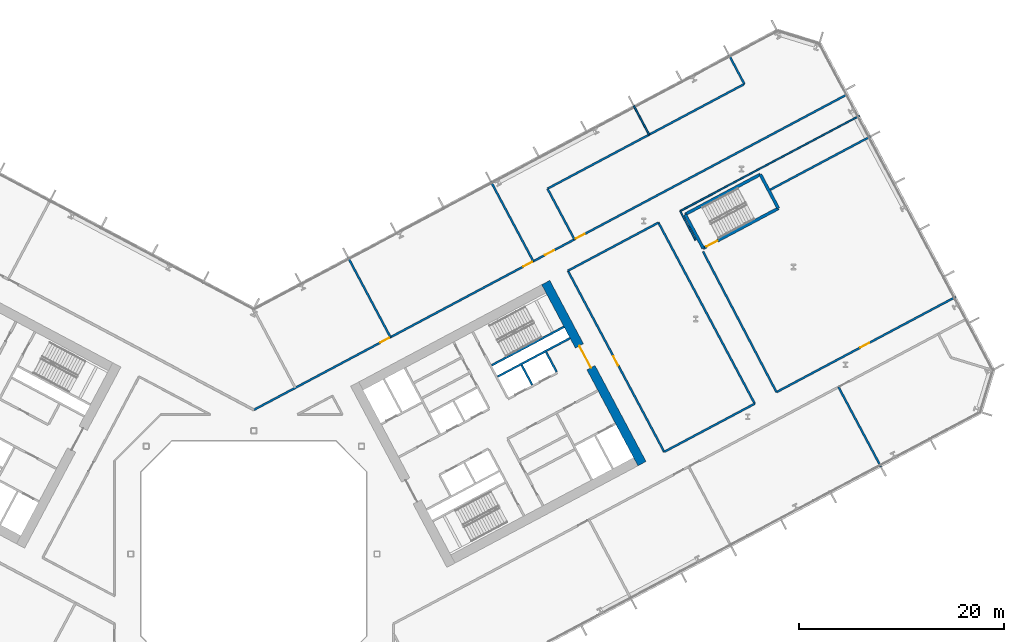
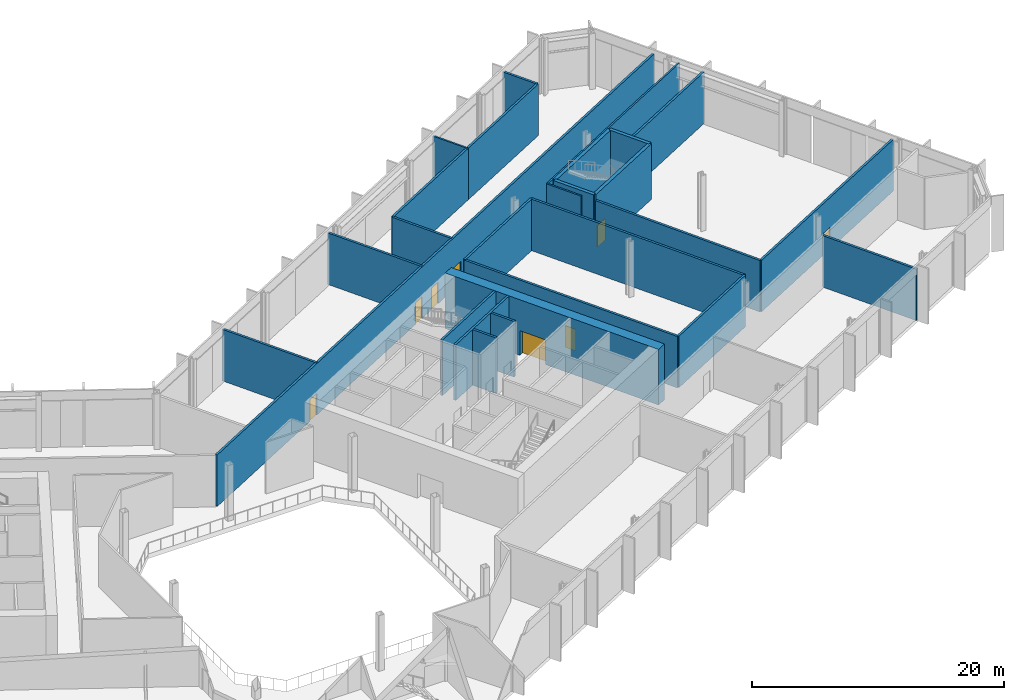
# One storey, part 17 of 32: 27 walls, 8 doors, 8 openings.
"""IFC4 building model written with IfcOpenShell, lengths in metres."""

from ifc_helpers import new_model, si_unit, direction, frame, frame_2d, origin, place, context, subcontext, project, spatial, rectangle, extrude, material, layer, layer_set, type_object, element, fill, save


model = new_model("IFC4")

# Units and contexts
model_context = context("Model", 3, precision=1e-05, world=origin(), true_north=direction((0.0, 1.0)))
body_context = subcontext(model_context, "Body", "Model", "MODEL_VIEW")
ifc_project = project(units=[si_unit("LENGTHUNIT", "METRE"), si_unit("AREAUNIT", "SQUARE_METRE"), si_unit("VOLUMEUNIT", "CUBIC_METRE"), si_unit("PLANEANGLEUNIT", "RADIAN"), si_unit("MASSUNIT", "GRAM", prefix="KILO")], contexts=[model_context])

# Site, building, storey
site_placement = place(None, origin())
site = spatial("IfcSite", under=ifc_project, at=site_placement, CompositionType="ELEMENT")
building_placement = place(site_placement, origin())
building = spatial("IfcBuilding", under=site, at=building_placement, Name="Cormorant Relay Tower", CompositionType="ELEMENT")
storey_placement = place(building_placement, frame((0.0, 0.0, 60.800048828125)))
storey = spatial("IfcBuildingStorey", under=building, at=storey_placement, Name="L11", CompositionType="ELEMENT", Elevation=60.800048828125)

# Walls
ifc_material_1 = material(Name="Concrete 40 MPa", Category="concrete")
ifc_layer_1 = layer(ifc_material_1, 0.199951171875)
ifc_layer_set_1 = layer_set([ifc_layer_1], Name="Core internal wall 200")
wall_type_1 = type_object("IfcWallType", Name="Core internal wall 200", PredefinedType="SOLIDWALL", material=ifc_layer_set_1)
wall_1_placement = place(storey_placement, frame((27.144287109375, 16.471435546875, 0.0), z_axis=(0.0, 0.0, 1.0), x_axis=(-0.469401318492, 0.882984938828, 0.0)))
element("IfcWall", 1, at=wall_1_placement, inside=storey, type_object=wall_type_1, Name="L11 core B shaft and room wall", PredefinedType="SOLIDWALL", context=body_context, shape_type="SweptSolid", body=[
    extrude(rectangle(XDim=2.199951171875, YDim=0.199951171875, at=frame_2d((1.10009765625, 0.0))), origin(), (0.0, 0.0, 1.0), 5.39990234375),
])
ifc_material_2 = material(Name="Concrete 50 MPa", Category="concrete")
ifc_layer_2 = layer(ifc_material_2, 0.199951171875)
ifc_layer_set_2 = layer_set([ifc_layer_2], Name="Core shaft wall 200")
wall_type_2 = type_object("IfcWallType", Name="Core shaft wall 200", PredefinedType="SHEAR", material=ifc_layer_set_2)
wall_2_placement = place(storey_placement, frame((29.5283203125, 17.739013671875, 0.0), z_axis=(0.0, 0.0, 1.0), x_axis=(-0.469401318492, 0.882984938828, 0.0)))
element("IfcWall", 2, at=wall_2_placement, inside=storey, type_object=wall_type_2, Name="L11 core B shaft wall", PredefinedType="SHEAR", context=body_context, shape_type="SweptSolid", body=[
    extrude(rectangle(XDim=2.199951171875, YDim=0.199951171875, at=frame_2d((1.10009765625, 0.0))), origin(), (0.0, 0.0, 1.0), 5.39990234375),
])
wall_3_placement = place(storey_placement, frame((23.76904296875, 17.28173828125, 0.0), z_axis=(0.0, 0.0, 1.0), x_axis=(0.882940221191, 0.469485426614, 0.0)))
element("IfcWall", 3, at=wall_3_placement, inside=storey, type_object=wall_type_2, Name="L11 core B shaft wall", PredefinedType="SHEAR", context=body_context, shape_type="SweptSolid", body=[
    extrude(rectangle(XDim=8.0, YDim=0.199951171875, at=frame_2d((4.0, 0.0))), origin(), (0.0, 0.0, 1.0), 5.39990234375),
])
wall_4_placement = place(storey_placement, frame((23.18212890625, 18.385498046875, 0.0), z_axis=(0.0, 0.0, 1.0), x_axis=(0.88295287151, 0.469461634952, 0.0)))
element("IfcWall", 4, at=wall_4_placement, inside=storey, type_object=wall_type_2, Name="L11 core B shaft wall", PredefinedType="SHEAR", context=body_context, shape_type="SweptSolid", body=[
    extrude(rectangle(XDim=7.999755859375, YDim=0.199951171875, at=frame_2d((4.0, 0.0))), origin(), (0.0, 0.0, 1.0), 5.39990234375),
])

# Wall, opening, door
ifc_material_3 = material(Name="Concrete 70 MPa", Category="concrete")
ifc_layer_3 = layer(ifc_material_3, 0.89990234375)
ifc_layer_set_3 = layer_set([ifc_layer_3], Name="Core wall 900")
wall_type_3 = type_object("IfcWallType", Name="Core wall 900", PredefinedType="SHEAR", material=ifc_layer_set_3)
wall_5_placement = place(storey_placement, frame((37.849365234375, 8.799072265625, 0.0), z_axis=(0.0, 0.0, 1.0), x_axis=(-0.469465789982, 0.882950662289, 0.0)))
wall_5 = element("IfcWall", 5, at=wall_5_placement, inside=storey, type_object=wall_type_3, Name="L11 core B wall", PredefinedType="SHEAR", context=body_context, shape_type="SweptSolid", body=[
    extrude(rectangle(XDim=20.000244140625, YDim=0.89990234375, at=frame_2d((10.0, 0.0))), origin(), (0.0, 0.0, 1.0), 5.39990234375),
])
opening_1_placement = place(wall_5_placement, frame((10.60009765625, 0.0, 0.0)))
opening_1 = element("IfcOpeningElement", 6, at=opening_1_placement, cuts=wall_5, Name="Opening CDA-016", PredefinedType="OPENING", context=body_context, shape_type="SweptSolid", body=[
    extrude(rectangle(XDim=2.39990234375, YDim=2.39990234375, at=frame_2d((1.199951171875, 1.199951171875))), frame((0.0, 0.4599609375, 0.0), z_axis=(0.0, -1.0, 0.0), x_axis=(1.0, 0.0, 0.0)), (0.0, 0.0, 1.0), 0.919921875),
])
ifc_material_4 = material(Name="Steel fire door", Category="steel")
door_type_1 = type_object("IfcDoorType", Name="Core lobby door 2400x2400", OperationType="DOUBLE_DOOR_SINGLE_SWING", PredefinedType="DOOR", material=ifc_material_4)
door_1_placement = place(opening_1_placement, origin())
door_1 = element("IfcDoor", 7, at=door_1_placement, inside=storey, type_object=door_type_1, Name="Core lobby door 2400x2400", OperationType="DOUBLE_DOOR_SINGLE_SWING", OverallHeight=2.39990234375, OverallWidth=2.39990234375, PredefinedType="DOOR", context=body_context, shape_type="SweptSolid", body=[
    extrude(rectangle(XDim=2.39990234375, YDim=2.39990234375, at=frame_2d((1.199951171875, 1.199951171875))), frame((0.0, 0.02490234375, 0.0), z_axis=(0.0, -1.0, 0.0), x_axis=(1.0, 0.0, 0.0)), (0.0, 0.0, 1.0), 0.050048828125),
])
fill(opening_1, door_1)

# Wall, openings, doors
ifc_material_5 = material(Name="Fire-rated gypsum board partition")
ifc_layer_4 = layer(ifc_material_5, 0.199951171875)
ifc_layer_set_4 = layer_set([ifc_layer_4], Name="Fire-rated gypsum partition 200")
wall_type_4 = type_object("IfcWallType", Name="Fire-rated gypsum partition 200", PredefinedType="PARTITIONING", material=ifc_layer_set_4)
wall_6_placement = place(storey_placement, frame((0.0, 14.0439453125, 0.0), z_axis=(0.0, 0.0, 1.0), x_axis=(0.882943219941, 0.469479786955, 0.0)))
wall_6 = element("IfcWall", 8, at=wall_6_placement, inside=storey, type_object=wall_type_4, Name="wall/L11/part/9", PredefinedType="PARTITIONING", context=body_context, shape_type="SweptSolid", body=[
    extrude(rectangle(XDim=65.606689453125, YDim=0.199951171875, at=frame_2d((32.80322265625, 0.0))), origin(), (0.0, 0.0, 1.0), 5.0),
])
opening_2_placement = place(wall_6_placement, frame((35.550048828125, 0.0, 0.0)))
opening_2 = element("IfcOpeningElement", 9, at=opening_2_placement, cuts=wall_6, Name="Opening FD1-070", PredefinedType="OPENING", context=body_context, shape_type="SweptSolid", body=[
    extrude(rectangle(XDim=1.0, YDim=2.10009765625, at=frame_2d((0.5, 1.050048828125))), frame((0.0, 0.10986328125, 0.0), z_axis=(0.0, -1.0, 0.0), x_axis=(1.0, 0.0, 0.0)), (0.0, 0.0, 1.0), 0.219970703125),
])
opening_3_placement = place(wall_6_placement, frame((32.14990234375, 0.0, 0.0)))
opening_3 = element("IfcOpeningElement", 10, at=opening_3_placement, cuts=wall_6, Name="Opening FD1-071", PredefinedType="OPENING", context=body_context, shape_type="SweptSolid", body=[
    extrude(rectangle(XDim=1.0, YDim=2.10009765625, at=frame_2d((0.5, 1.050048828125))), frame((0.0, 0.10986328125, 0.0), z_axis=(0.0, -1.0, 0.0), x_axis=(1.0, 0.0, 0.0)), (0.0, 0.0, 1.0), 0.219970703125),
])
opening_4_placement = place(wall_6_placement, frame((29.75, 0.0, 0.0)))
opening_4 = element("IfcOpeningElement", 11, at=opening_4_placement, cuts=wall_6, Name="Opening FD1-072", PredefinedType="OPENING", context=body_context, shape_type="SweptSolid", body=[
    extrude(rectangle(XDim=1.0, YDim=2.10009765625, at=frame_2d((0.5, 1.050048828125))), frame((0.0, 0.10986328125, 0.0), z_axis=(0.0, -1.0, 0.0), x_axis=(1.0, 0.0, 0.0)), (0.0, 0.0, 1.0), 0.219970703125),
])
opening_5_placement = place(wall_6_placement, frame((13.949951171875, 0.0, 0.0)))
opening_5 = element("IfcOpeningElement", 12, at=opening_5_placement, cuts=wall_6, Name="Opening FD1-073", PredefinedType="OPENING", context=body_context, shape_type="SweptSolid", body=[
    extrude(rectangle(XDim=1.0, YDim=2.10009765625, at=frame_2d((0.5, 1.050048828125))), frame((0.0, 0.10986328125, 0.0), z_axis=(0.0, -1.0, 0.0), x_axis=(1.0, 0.0, 0.0)), (0.0, 0.0, 1.0), 0.219970703125),
])
ifc_material_6 = material(Name="Fire-rated steel door", Category="steel")
door_type_2 = type_object("IfcDoorType", Name="Fire door 1000 x 2100", OperationType="SINGLE_SWING_LEFT", PredefinedType="DOOR", material=ifc_material_6)
door_2_placement = place(opening_2_placement, origin())
door_2 = element("IfcDoor", 13, at=door_2_placement, inside=storey, type_object=door_type_2, Name="door/L11/5", OperationType="SINGLE_SWING_LEFT", OverallHeight=2.10009765625, OverallWidth=1.0, PredefinedType="DOOR", context=body_context, shape_type="SweptSolid", body=[
    extrude(rectangle(XDim=1.0, YDim=2.10009765625, at=frame_2d((0.5, 1.050048828125))), frame((0.0, 0.02490234375, 0.0), z_axis=(0.0, -1.0, 0.0), x_axis=(1.0, 0.0, 0.0)), (0.0, 0.0, 1.0), 0.050048828125),
])
fill(opening_2, door_2)
door_3_placement = place(opening_3_placement, origin())
door_3 = element("IfcDoor", 14, at=door_3_placement, inside=storey, type_object=door_type_2, Name="door/L11/6", OperationType="SINGLE_SWING_LEFT", OverallHeight=2.10009765625, OverallWidth=1.0, PredefinedType="DOOR", context=body_context, shape_type="SweptSolid", body=[
    extrude(rectangle(XDim=1.0, YDim=2.10009765625, at=frame_2d((0.5, 1.050048828125))), frame((0.0, 0.02490234375, 0.0), z_axis=(0.0, -1.0, 0.0), x_axis=(1.0, 0.0, 0.0)), (0.0, 0.0, 1.0), 0.050048828125),
])
fill(opening_3, door_3)
door_4_placement = place(opening_4_placement, origin())
door_4 = element("IfcDoor", 15, at=door_4_placement, inside=storey, type_object=door_type_2, Name="door/L11/7", OperationType="SINGLE_SWING_RIGHT", OverallHeight=2.10009765625, OverallWidth=1.0, PredefinedType="DOOR", context=body_context, shape_type="SweptSolid", body=[
    extrude(rectangle(XDim=1.0, YDim=2.10009765625, at=frame_2d((0.5, 1.050048828125))), frame((0.0, 0.02490234375, 0.0), z_axis=(0.0, -1.0, 0.0), x_axis=(1.0, 0.0, 0.0)), (0.0, 0.0, 1.0), 0.050048828125),
])
fill(opening_4, door_4)
door_5_placement = place(opening_5_placement, origin())
door_5 = element("IfcDoor", 16, at=door_5_placement, inside=storey, type_object=door_type_2, Name="door/L11/8", OperationType="SINGLE_SWING_RIGHT", OverallHeight=2.10009765625, OverallWidth=1.0, PredefinedType="DOOR", context=body_context, shape_type="SweptSolid", body=[
    extrude(rectangle(XDim=1.0, YDim=2.10009765625, at=frame_2d((0.5, 1.050048828125))), frame((0.0, 0.02490234375, 0.0), z_axis=(0.0, -1.0, 0.0), x_axis=(1.0, 0.0, 0.0)), (0.0, 0.0, 1.0), 0.050048828125),
])
fill(opening_5, door_5)

# Walls
wall_7_placement = place(storey_placement, frame((9.19091796875, 28.89794921875, 0.0), z_axis=(0.0, 0.0, 1.0), x_axis=(0.46939995126, -0.882985665658, 0.0)))
element("IfcWall", 17, at=wall_7_placement, inside=storey, type_object=wall_type_4, Name="wall/L11/part/30", PredefinedType="PARTITIONING", context=body_context, shape_type="SweptSolid", body=[
    extrude(rectangle(XDim=8.80078125, YDim=0.199951171875, at=frame_2d((4.400390625, 0.0))), origin(), (0.0, 0.0, 1.0), 5.0),
])
wall_8_placement = place(storey_placement, frame((23.116943359375, 36.302001953125, 0.0), z_axis=(0.0, 0.0, 1.0), x_axis=(0.469532456729, -0.882915212281, 0.0)))
element("IfcWall", 18, at=wall_8_placement, inside=storey, type_object=wall_type_4, Name="wall/L11/part/36", PredefinedType="PARTITIONING", context=body_context, shape_type="SweptSolid", body=[
    extrude(rectangle(XDim=8.80029296875, YDim=0.199951171875, at=frame_2d((4.400146484375, 0.0))), origin(), (0.0, 0.0, 1.0), 5.0),
])
wall_9_placement = place(storey_placement, frame((31.25390625, 30.681884765625, 0.0), z_axis=(0.0, 0.0, 1.0), x_axis=(-0.469464286377, 0.882951461756, 0.0)))
element("IfcWall", 19, at=wall_9_placement, inside=storey, type_object=wall_type_4, Name="wall/L11/part/40", PredefinedType="PARTITIONING", context=body_context, shape_type="SweptSolid", body=[
    extrude(rectangle(XDim=5.58251953125, YDim=0.199951171875, at=frame_2d((2.791259765625, 0.0))), origin(), (0.0, 0.0, 1.0), 5.0),
])
wall_10_placement = place(storey_placement, frame((28.633056640625, 35.611083984375, 0.0), z_axis=(0.0, 0.0, 1.0), x_axis=(0.882938561172, 0.469488548524, 0.0)))
element("IfcWall", 20, at=wall_10_placement, inside=storey, type_object=wall_type_4, Name="wall/L11/part/41", PredefinedType="PARTITIONING", context=body_context, shape_type="SweptSolid", body=[
    extrude(rectangle(XDim=11.22705078125, YDim=0.199951171875, at=frame_2d((5.613525390625, 0.0))), origin(), (0.0, 0.0, 1.0), 5.0),
])
wall_11_placement = place(storey_placement, frame((38.5458984375, 40.882080078125, 0.0), z_axis=(0.0, 0.0, 1.0), x_axis=(0.88296536188, 0.469438142592, 0.0)))
element("IfcWall", 21, at=wall_11_placement, inside=storey, type_object=wall_type_4, Name="wall/L11/part/45", PredefinedType="PARTITIONING", context=body_context, shape_type="SweptSolid", body=[
    extrude(rectangle(XDim=10.514892578125, YDim=0.199951171875, at=frame_2d((5.25732421875, 0.0))), origin(), (0.0, 0.0, 1.0), 5.0),
])
wall_12_placement = place(storey_placement, frame((47.830078125, 45.818115234375, 0.0), z_axis=(0.0, 0.0, 1.0), x_axis=(-0.469082703107, 0.883154243406, 0.0)))
element("IfcWall", 22, at=wall_12_placement, inside=storey, type_object=wall_type_4, Name="wall/L11/part/46", PredefinedType="PARTITIONING", context=body_context, shape_type="SweptSolid", body=[
    extrude(rectangle(XDim=3.19970703125, YDim=0.199951171875, at=frame_2d((1.599853515625, 0.0))), origin(), (0.0, 0.0, 1.0), 5.0),
])
wall_13_placement = place(storey_placement, frame((43.801025390625, 29.48291015625, 0.0), z_axis=(0.0, 0.0, 1.0), x_axis=(0.462864260364, -0.886429171721, 0.0)))
element("IfcWall", 23, at=wall_13_placement, inside=storey, type_object=wall_type_4, Name="wall/L11/part/49", PredefinedType="PARTITIONING", context=body_context, shape_type="SweptSolid", body=[
    extrude(rectangle(XDim=15.46875, YDim=0.199951171875, at=frame_2d((7.734375, 0.0))), origin(), (0.0, 0.0, 1.0), 5.0),
])

# Wall, opening, door
wall_14_placement = place(storey_placement, frame((50.9609375, 15.77099609375, 0.0), z_axis=(0.0, 0.0, 1.0), x_axis=(0.882969283776, 0.469430765831, 0.0)))
wall_14 = element("IfcWall", 24, at=wall_14_placement, inside=storey, type_object=wall_type_4, Name="wall/L11/part/50", PredefinedType="PARTITIONING", context=body_context, shape_type="SweptSolid", body=[
    extrude(rectangle(XDim=19.80029296875, YDim=0.199951171875, at=frame_2d((9.900146484375, 0.0))), origin(), (0.0, 0.0, 1.0), 5.0),
])
opening_6_placement = place(wall_14_placement, frame((9.25, 0.0, 0.0)))
opening_6 = element("IfcOpeningElement", 25, at=opening_6_placement, cuts=wall_14, Name="Opening FD1-069", PredefinedType="OPENING", context=body_context, shape_type="SweptSolid", body=[
    extrude(rectangle(XDim=1.0, YDim=2.10009765625, at=frame_2d((0.5, 1.050048828125))), frame((0.0, 0.10986328125, 0.0), z_axis=(0.0, -1.0, 0.0), x_axis=(1.0, 0.0, 0.0)), (0.0, 0.0, 1.0), 0.219970703125),
])
door_6_placement = place(opening_6_placement, origin())
door_6 = element("IfcDoor", 26, at=door_6_placement, inside=storey, type_object=door_type_2, Name="door/L11/23", OperationType="SINGLE_SWING_LEFT", OverallHeight=2.10009765625, OverallWidth=1.0, PredefinedType="DOOR", context=body_context, shape_type="SweptSolid", body=[
    extrude(rectangle(XDim=1.0, YDim=2.10009765625, at=frame_2d((0.5, 1.050048828125))), frame((0.0, 0.02490234375, 0.0), z_axis=(0.0, -1.0, 0.0), x_axis=(1.0, 0.0, 0.0)), (0.0, 0.0, 1.0), 0.050048828125),
])
fill(opening_6, door_6)

# Walls
wall_15_placement = place(storey_placement, frame((57.010986328125, 16.26904296875, 0.0), z_axis=(0.0, 0.0, 1.0), x_axis=(0.469445946219, -0.882961212952, 0.0)))
element("IfcWall", 27, at=wall_15_placement, inside=storey, type_object=wall_type_4, Name="wall/L11/part/51", PredefinedType="PARTITIONING", context=body_context, shape_type="SweptSolid", body=[
    extrude(rectangle(XDim=8.800048828125, YDim=0.199951171875, at=frame_2d((4.39990234375, 0.0))), origin(), (0.0, 0.0, 1.0), 5.0),
])
wall_16_placement = place(storey_placement, frame((50.335693359375, 35.501220703125, 0.0), z_axis=(0.0, 0.0, 1.0), x_axis=(0.88295860562, 0.469450850209, 0.0)))
element("IfcWall", 28, at=wall_16_placement, inside=storey, type_object=wall_type_4, Name="wall/L11/part/52", PredefinedType="PARTITIONING", context=body_context, shape_type="SweptSolid", body=[
    extrude(rectangle(XDim=11.089111328125, YDim=0.199951171875, at=frame_2d((5.54443359375, 0.0))), origin(), (0.0, 0.0, 1.0), 5.0),
])
wall_17_placement = place(storey_placement, frame((30.623046875, 27.60791015625, 0.0), z_axis=(0.0, 0.0, 1.0), x_axis=(0.882940863385, 0.469484218867, 0.0)))
element("IfcWall", 29, at=wall_17_placement, inside=storey, type_object=wall_type_4, Name="wall/L11/part/67", PredefinedType="PARTITIONING", context=body_context, shape_type="SweptSolid", body=[
    extrude(rectangle(XDim=10.00048828125, YDim=0.199951171875, at=frame_2d((5.000244140625, 0.0))), origin(), (0.0, 0.0, 1.0), 5.0),
])
wall_18_placement = place(storey_placement, frame((39.452880859375, 32.302978515625, 0.0), z_axis=(0.0, 0.0, 1.0), x_axis=(0.469461333319, -0.882953031887, 0.0)))
element("IfcWall", 30, at=wall_18_placement, inside=storey, type_object=wall_type_4, Name="wall/L11/part/68", PredefinedType="PARTITIONING", context=body_context, shape_type="SweptSolid", body=[
    extrude(rectangle(XDim=19.999755859375, YDim=0.199951171875, at=frame_2d((10.0, 0.0))), origin(), (0.0, 0.0, 1.0), 5.0),
])
wall_19_placement = place(storey_placement, frame((48.842041015625, 14.64404296875, 0.0), z_axis=(0.0, 0.0, 1.0), x_axis=(-0.882924718888, -0.46951457994, 0.0)))
element("IfcWall", 31, at=wall_19_placement, inside=storey, type_object=wall_type_4, Name="wall/L11/part/69", PredefinedType="PARTITIONING", context=body_context, shape_type="SweptSolid", body=[
    extrude(rectangle(XDim=9.999755859375, YDim=0.199951171875, at=frame_2d((5.0, 0.0))), origin(), (0.0, 0.0, 1.0), 5.0),
])

# Wall, opening, door
wall_20_placement = place(storey_placement, frame((40.012939453125, 9.948974609375, 0.0), z_axis=(0.0, 0.0, 1.0), x_axis=(-0.469489882812, 0.882937851685, 0.0)))
wall_20 = element("IfcWall", 32, at=wall_20_placement, inside=storey, type_object=wall_type_4, Name="wall/L11/part/70", PredefinedType="PARTITIONING", context=body_context, shape_type="SweptSolid", body=[
    extrude(rectangle(XDim=20.000244140625, YDim=0.199951171875, at=frame_2d((10.0, 0.0))), origin(), (0.0, 0.0, 1.0), 5.0),
])
opening_7_placement = place(wall_20_placement, frame((9.550048828125, 0.0, 0.0)))
opening_7 = element("IfcOpeningElement", 33, at=opening_7_placement, cuts=wall_20, Name="Opening FD1-068", PredefinedType="OPENING", context=body_context, shape_type="SweptSolid", body=[
    extrude(rectangle(XDim=1.0, YDim=2.10009765625, at=frame_2d((0.5, 1.050048828125))), frame((0.0, 0.10986328125, 0.0), z_axis=(0.0, -1.0, 0.0), x_axis=(1.0, 0.0, 0.0)), (0.0, 0.0, 1.0), 0.219970703125),
])
door_7_placement = place(opening_7_placement, origin())
door_7 = element("IfcDoor", 34, at=door_7_placement, inside=storey, type_object=door_type_2, Name="door/L11/22", OperationType="SINGLE_SWING_RIGHT", OverallHeight=2.10009765625, OverallWidth=1.0, PredefinedType="DOOR", context=body_context, shape_type="SweptSolid", body=[
    extrude(rectangle(XDim=1.0, YDim=2.10009765625, at=frame_2d((0.5, 1.050048828125))), frame((0.0, 0.02490234375, 0.0), z_axis=(0.0, -1.0, 0.0), x_axis=(1.0, 0.0, 0.0)), (0.0, 0.0, 1.0), 0.050048828125),
])
fill(opening_7, door_7)

# Walls
ifc_material_7 = material(Name="Gypsum board partition")
ifc_layer_5 = layer(ifc_material_7, 0.14990234375)
ifc_layer_set_5 = layer_set([ifc_layer_5], Name="Gypsum board partition 150")
wall_type_5 = type_object("IfcWallType", Name="Gypsum board partition 150", PredefinedType="PARTITIONING", material=ifc_layer_set_5)
wall_21_placement = place(storey_placement, frame((37.0439453125, 43.70703125, 0.0), z_axis=(0.0, 0.0, 1.0), x_axis=(0.469447181805, -0.882960556025, 0.0)))
element("IfcWall", 35, at=wall_21_placement, inside=storey, type_object=wall_type_5, Name="wall/L11/part/44", PredefinedType="PARTITIONING", context=body_context, shape_type="SweptSolid", body=[
    extrude(rectangle(XDim=3.199462890625, YDim=0.14990234375, at=frame_2d((1.599609375, 0.0))), origin(), (0.0, 0.0, 1.0), 5.0),
])
wall_22_placement = place(storey_placement, frame((59.053955078125, 42.72509765625, 0.0), z_axis=(0.0, 0.0, 1.0), x_axis=(-0.882950585831, -0.469465933781, 0.0)))
element("IfcWall", 36, at=wall_22_placement, inside=storey, type_object=wall_type_5, Name="wall/L11/part/47", PredefinedType="PARTITIONING", context=body_context, shape_type="SweptSolid", body=[
    extrude(rectangle(XDim=19.799560546875, YDim=0.14990234375, at=frame_2d((9.89990234375, 0.0))), origin(), (0.0, 0.0, 1.0), 5.0),
])
wall_23_placement = place(storey_placement, frame((41.572021484375, 33.429931640625, 0.0), z_axis=(0.0, 0.0, 1.0), x_axis=(0.469510863882, -0.882926694974, 0.0)))
element("IfcWall", 37, at=wall_23_placement, inside=storey, type_object=wall_type_5, Name="wall/L11/part/48", PredefinedType="PARTITIONING", context=body_context, shape_type="SweptSolid", body=[
    extrude(rectangle(XDim=3.2119140625, YDim=0.14990234375, at=frame_2d((1.60595703125, 0.0))), origin(), (0.0, 0.0, 1.0), 5.0),
])
ifc_material_8 = material(Name="Concrete 50 MPa", Category="concrete")
ifc_layer_6 = layer(ifc_material_8, 0.300048828125)
ifc_layer_set_6 = layer_set([ifc_layer_6], Name="Remote stair wall 300")
wall_type_6 = type_object("IfcWallType", Name="Remote stair wall 300", PredefinedType="SHEAR", material=ifc_layer_set_6)
wall_24_placement = place(storey_placement, frame((49.384033203125, 37.00390625, 0.0), z_axis=(0.0, 0.0, 1.0), x_axis=(0.46946936446, -0.882948761726, 0.0)))
element("IfcWall", 38, at=wall_24_placement, inside=storey, type_object=wall_type_6, Name="L11 exit stair RB1 wall", PredefinedType="SHEAR", context=body_context, shape_type="SweptSolid", body=[
    extrude(rectangle(XDim=3.75, YDim=0.300048828125, at=frame_2d((1.875, 0.0))), origin(), (0.0, 0.0, 1.0), 5.39990234375),
])

# Wall, opening, door
wall_25_placement = place(storey_placement, frame((51.14453125, 33.69287109375, 0.0), z_axis=(0.0, 0.0, 1.0), x_axis=(-0.882945809314, -0.469474917132, 0.0)))
wall_25 = element("IfcWall", 39, at=wall_25_placement, inside=storey, type_object=wall_type_6, Name="L11 exit stair RB1 wall", PredefinedType="SHEAR", context=body_context, shape_type="SweptSolid", body=[
    extrude(rectangle(XDim=8.30029296875, YDim=0.300048828125, at=frame_2d((4.150146484375, 0.0))), origin(), (0.0, 0.0, 1.0), 5.39990234375),
])
opening_8_placement = place(wall_25_placement, frame((6.72509765625, 0.0, 0.0)))
opening_8 = element("IfcOpeningElement", 40, at=opening_8_placement, cuts=wall_25, Name="Opening CDB-023", PredefinedType="OPENING", context=body_context, shape_type="SweptSolid", body=[
    extrude(rectangle(XDim=1.199951171875, YDim=2.10009765625, at=frame_2d((0.60009765625, 1.050048828125))), frame((0.0, 0.159912109375, 0.0), z_axis=(0.0, -1.0, 0.0), x_axis=(1.0, 0.0, 0.0)), (0.0, 0.0, 1.0), 0.320068359375),
])
ifc_material_9 = material(Name="Steel fire door", Category="steel")
door_type_3 = type_object("IfcDoorType", Name="Core stair door 1200x2100", OperationType="SINGLE_SWING_LEFT", PredefinedType="DOOR", material=ifc_material_9)
door_8_placement = place(opening_8_placement, frame((1.199951171875, 0.0, 0.0), z_axis=(0.0, 0.0, 1.0), x_axis=(-1.0, 0.0, 0.0)))
door_8 = element("IfcDoor", 41, at=door_8_placement, inside=storey, type_object=door_type_3, Name="Exit stair RB1 door", OperationType="SINGLE_SWING_LEFT", OverallHeight=2.10009765625, OverallWidth=1.199951171875, PredefinedType="DOOR", context=body_context, shape_type="SweptSolid", body=[
    extrude(rectangle(XDim=1.199951171875, YDim=2.10009765625, at=frame_2d((0.60009765625, 1.050048828125))), frame((0.0, 0.02490234375, 0.0), z_axis=(0.0, -1.0, 0.0), x_axis=(1.0, 0.0, 0.0)), (0.0, 0.0, 1.0), 0.050048828125),
])
fill(opening_8, door_8)

# Walls
wall_26_placement = place(storey_placement, frame((43.81591796875, 29.796142578125, 0.0), z_axis=(0.0, 0.0, 1.0), x_axis=(-0.46946936446, 0.882948761726, 0.0)))
element("IfcWall", 42, at=wall_26_placement, inside=storey, type_object=wall_type_6, Name="L11 exit stair RB1 wall", PredefinedType="SHEAR", context=body_context, shape_type="SweptSolid", body=[
    extrude(rectangle(XDim=3.75, YDim=0.300048828125, at=frame_2d((1.875, 0.0))), origin(), (0.0, 0.0, 1.0), 5.39990234375),
])
wall_27_placement = place(storey_placement, frame((42.055419921875, 33.107177734375, 0.0), z_axis=(0.0, 0.0, 1.0), x_axis=(0.882945809314, 0.469474917132, 0.0)))
element("IfcWall", 43, at=wall_27_placement, inside=storey, type_object=wall_type_6, Name="L11 exit stair RB1 wall", PredefinedType="SHEAR", context=body_context, shape_type="SweptSolid", body=[
    extrude(rectangle(XDim=8.30029296875, YDim=0.300048828125, at=frame_2d((4.150146484375, 0.0))), origin(), (0.0, 0.0, 1.0), 5.39990234375),
])

save(model, "model.ifc")
